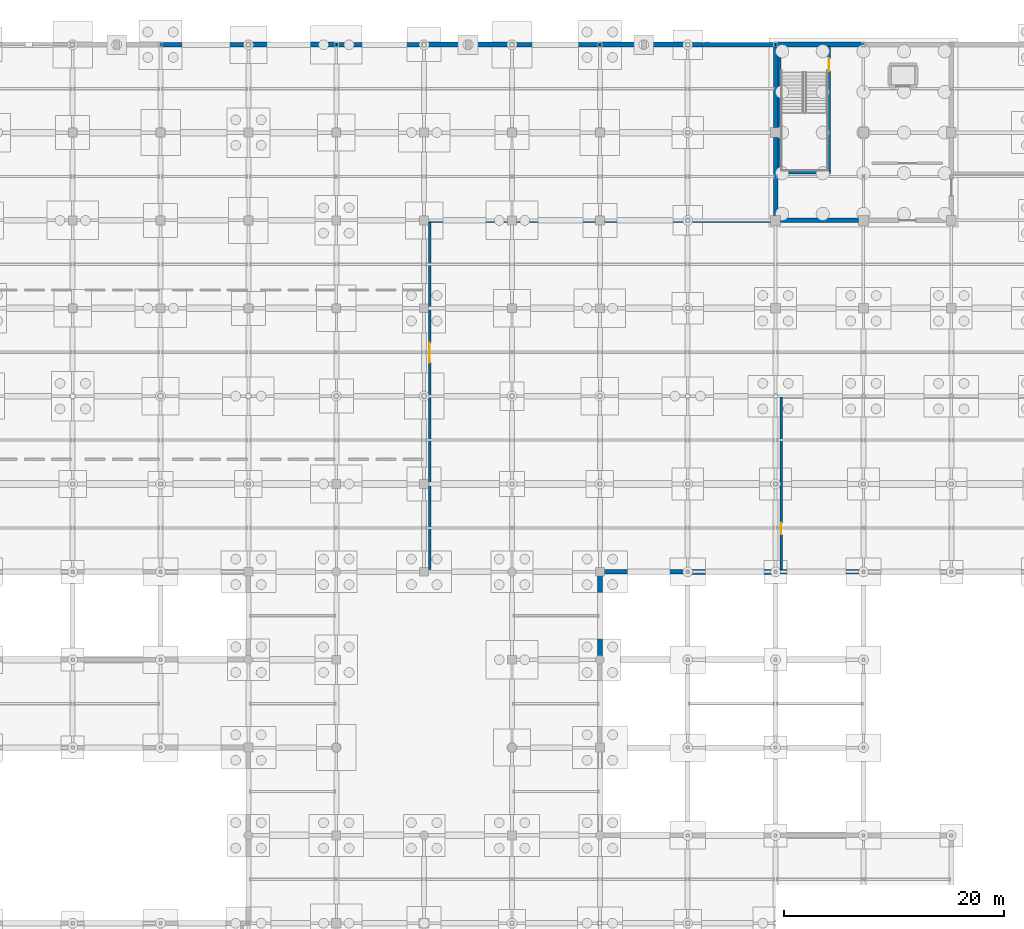
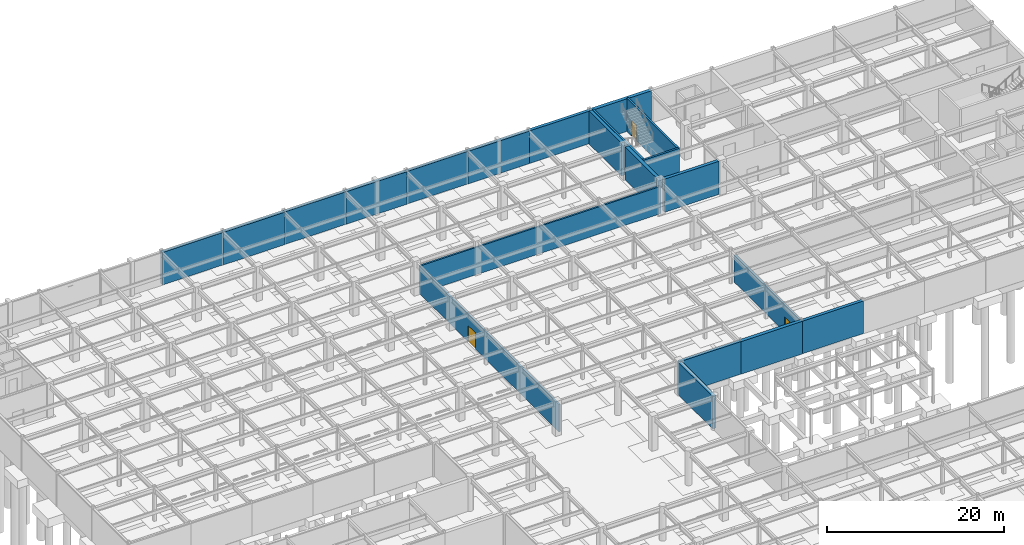
# One storey, part 59 of 105: 21 walls, 3 doors, 3 openings.
"""IFC4 building model written with IfcOpenShell, lengths in metres."""

import ifcopenshell
import ifcopenshell.guid

model = None  # the IFC model being written
_history = None  # IfcOwnerHistory: only IFC2X3 demands one
_inside = {}  # id of a spatial element -> (the spatial element, [elements in it])
_under = {}  # id of a project, library or spatial element -> (it, [spatial elements below it])
_declared = {}  # id of a project -> (the project, [libraries it declares])
_typed = {}  # id of a type object -> (the type object, [elements of that type])
_made_of = {}  # id of a material, layer set ... -> (it, [elements and type objects made of it])


def new_model(schema):
    """Start an empty IFC model of exactly this schema.

    Asked for "IFC4X3", IfcOpenShell would pick the latest addendum, in which some entities
    have other attributes; the version numbers below select the first issue.
    IFC2X3 requires an IfcOwnerHistory on every rooted entity: one is made here for all.
    """
    global model, _history
    if schema == "IFC4X3":
        model = ifcopenshell.file(schema_version=(4, 3, 0, 0))
    else:
        model = ifcopenshell.file(schema=schema)
    _inside.clear()
    _under.clear()
    _declared.clear()
    _typed.clear()
    _made_of.clear()
    _history = None
    if model.schema == "IFC2X3":
        org = make("IfcOrganization", Name="unknown")
        user = make(
            "IfcPersonAndOrganization",
            ThePerson=make("IfcPerson", FamilyName="unknown"),
            TheOrganization=org,
        )
        app = make(
            "IfcApplication",
            ApplicationDeveloper=org,
            Version="unknown",
            ApplicationFullName="unknown",
            ApplicationIdentifier="unknown",
        )
        _history = make(
            "IfcOwnerHistory",
            OwningUser=user,
            OwningApplication=app,
            ChangeAction="ADDED",
            CreationDate=0,
        )
    return model


def make(cls, **values):
    """One entity of the class cls with the attributes given. An attribute that is None is left unset."""
    return model.create_entity(
        cls, **{name: value for name, value in values.items() if value is not None}
    )


def rooted(cls, **values):
    """An entity with a GlobalId (a new one), such as an element, a storey or a relation."""
    return make(cls, GlobalId=ifcopenshell.guid.new(), OwnerHistory=_history, **values)


def si_unit(unit_type, name, prefix=None):
    """IfcSIUnit, for example si_unit("LENGTHUNIT", "METRE", prefix="MILLI")."""
    return make("IfcSIUnit", UnitType=unit_type, Prefix=prefix, Name=name)


def assignment(units):
    """IfcUnitAssignment: the units of a project."""
    return None if units is None else make("IfcUnitAssignment", Units=units)


def point(xyz):
    """IfcCartesianPoint."""
    return None if xyz is None else make("IfcCartesianPoint", Coordinates=xyz)


def direction(xyz):
    """IfcDirection."""
    return None if xyz is None else make("IfcDirection", DirectionRatios=xyz)


def frame(location, z_axis=None, x_axis=None):
    """IfcAxis2Placement3D, a coordinate frame: its origin and axes. An axis left out is left unset."""
    return make(
        "IfcAxis2Placement3D",
        Location=point(location),
        Axis=direction(z_axis),
        RefDirection=direction(x_axis),
    )


def frame_2d(location, x_axis=None):
    """IfcAxis2Placement2D, a coordinate frame in the plane: its origin and x axis."""
    return make(
        "IfcAxis2Placement2D", Location=point(location), RefDirection=direction(x_axis)
    )


def origin():
    """The frame at (0, 0, 0) with its axes left unset."""
    return frame((0.0, 0.0, 0.0))


def place(relative_to, where):
    """IfcLocalPlacement: puts the frame where relative to a parent placement (None: the world)."""
    return make(
        "IfcLocalPlacement", PlacementRelTo=relative_to, RelativePlacement=where
    )


def context(
    kind, dimensions, precision=None, world=None, true_north=None, identifier=None
):
    """IfcGeometricRepresentationContext, for example the 3D "Model" context."""
    return make(
        "IfcGeometricRepresentationContext",
        ContextIdentifier=identifier,
        ContextType=kind,
        CoordinateSpaceDimension=dimensions,
        Precision=precision,
        WorldCoordinateSystem=world,
        TrueNorth=true_north,
    )


def subcontext(parent, identifier, kind, view, scale=None):
    """IfcGeometricRepresentationSubContext, for example "Body" below "Model"."""
    return make(
        "IfcGeometricRepresentationSubContext",
        ContextIdentifier=identifier,
        ContextType=kind,
        ParentContext=parent,
        TargetScale=scale,
        TargetView=view,
    )


def project(units=None, contexts=None):
    """IfcProject with its units and contexts."""
    return rooted(
        "IfcProject",
        Name="project",
        RepresentationContexts=contexts,
        UnitsInContext=assignment(units),
    )


def spatial(cls, under=None, at=None, **own):
    """A site, building, storey or space (cls), placed at a placement, below another one or the project."""
    s = rooted(cls, ObjectPlacement=at, **own)
    if under is not None:
        _under.setdefault(under.id(), (under, []))[1].append(s)
    return s


def profile(cls, at=None, kind="AREA", **sizes):
    """A parametric profile (cls). Its sizes go by their IFC names, for example OverallWidth=200.0."""
    return make(cls, ProfileType=kind, Position=at, **sizes)


def rectangle(**sizes):
    """IfcRectangleProfileDef."""
    return profile("IfcRectangleProfileDef", **sizes)


def extrude(swept, where, along, depth):
    """IfcExtrudedAreaSolid: the profile swept, set in the frame where, extruded along a direction by depth."""
    return make(
        "IfcExtrudedAreaSolid",
        SweptArea=swept,
        Position=where,
        ExtrudedDirection=direction(along),
        Depth=depth,
    )


def shape(context_of_items, identifier, shape_type, items):
    """IfcShapeRepresentation: the items that make up one representation, for example the "Body"."""
    return make(
        "IfcShapeRepresentation",
        ContextOfItems=context_of_items,
        RepresentationIdentifier=identifier,
        RepresentationType=shape_type,
        Items=items,
    )


def material(Name=None, Category=None):
    """IfcMaterial."""
    return make("IfcMaterial", Name=Name, Category=Category)


def layer(
    of_material, thickness, ventilated=None, Name=None, Category=None, Priority=None
):
    """IfcMaterialLayer: one layer of a wall or slab, of a material (None: an air gap)."""
    return make(
        "IfcMaterialLayer",
        Material=of_material,
        LayerThickness=thickness,
        IsVentilated=ventilated,
        Name=Name,
        Category=Category,
        Priority=Priority,
    )


def layer_set(layers, Name=None):
    """IfcMaterialLayerSet."""
    return make("IfcMaterialLayerSet", MaterialLayers=layers, LayerSetName=Name)


def made_of(thing, what):
    """Note that an element or type object is made of a material, layer set ...; save() writes the relation."""
    if what is not None:
        _made_of.setdefault(what.id(), (what, []))[1].append(thing)
    return thing


def type_object(cls, material=None, **own):
    """A type object (cls), such as IfcWallType, which elements share."""
    return made_of(rooted(cls, **own), material)


def element(
    cls,
    number,
    at=None,
    inside=None,
    cuts=None,
    type_object=None,
    material=None,
    context=None,
    identifier="Body",
    shape_type=None,
    held_by="IfcProductDefinitionShape",
    body=None,
    shapes=None,
    **own,
):
    """One element of the class cls, such as IfcWall. Its Tag is "e" and its number.

    at: its placement. inside: the storey or other place that contains it. cuts: it is an
    opening in that element (IfcRelVoidsElement). A single representation is given by context,
    identifier, shape_type and body (its items); several are given by shapes. held_by: the class
    of the entity that holds the representations. save() writes the other relations.
    """
    e = rooted(cls, Tag="e%d" % number, ObjectPlacement=at, **own)
    if body is not None:
        shapes = [shape(context, identifier, shape_type, body)]
    if shapes is not None:
        e.Representation = make(held_by, Representations=shapes)
    if inside is not None:
        _inside.setdefault(inside.id(), (inside, []))[1].append(e)
    if cuts is not None:
        rooted(
            "IfcRelVoidsElement", RelatingBuildingElement=cuts, RelatedOpeningElement=e
        )
    if type_object is not None:
        _typed.setdefault(type_object.id(), (type_object, []))[1].append(e)
    return made_of(e, material)


def fill(opening, filler):
    """IfcRelFillsElement: the door or window that sits in an opening."""
    return rooted(
        "IfcRelFillsElement",
        RelatingOpeningElement=opening,
        RelatedBuildingElement=filler,
    )


def aggregate(whole, parts):
    """IfcRelAggregates: a whole, such as a stair, and the parts it consists of."""
    return rooted("IfcRelAggregates", RelatingObject=whole, RelatedObjects=parts)


def save(model, path):
    """Write the relations noted so far, then the file.

    IfcRelAggregates (storeys below a building ...), IfcRelContainedInSpatialStructure (elements
    in a storey), IfcRelDefinesByType, IfcRelAssociatesMaterial and IfcRelDeclares: one each for
    every whole, place, type object, material and project.
    """
    for whole, parts in _under.values():
        aggregate(whole, parts)
    for where, things in _inside.values():
        rooted(
            "IfcRelContainedInSpatialStructure",
            RelatedElements=things,
            RelatingStructure=where,
        )
    for kind, things in _typed.values():
        rooted("IfcRelDefinesByType", RelatedObjects=things, RelatingType=kind)
    for what, things in _made_of.values():
        rooted("IfcRelAssociatesMaterial", RelatedObjects=things, RelatingMaterial=what)
    for by, libraries in _declared.values():
        rooted("IfcRelDeclares", RelatingContext=by, RelatedDefinitions=libraries)
    model.write(path)


model = new_model("IFC4")

# Units and contexts
model_context = context("Model", 3, precision=1e-05, world=origin(), true_north=direction((0.0, 1.0)))
body_context = subcontext(model_context, "Body", "Model", "MODEL_VIEW")
ifc_project = project(units=[si_unit("LENGTHUNIT", "METRE"), si_unit("AREAUNIT", "SQUARE_METRE"), si_unit("VOLUMEUNIT", "CUBIC_METRE"), si_unit("PLANEANGLEUNIT", "RADIAN"), si_unit("MASSUNIT", "GRAM", prefix="KILO")], contexts=[model_context])

# Site, building, storey
site_placement = place(None, origin())
site = spatial("IfcSite", under=ifc_project, at=site_placement, CompositionType="ELEMENT")
building_placement = place(site_placement, origin())
building = spatial("IfcBuilding", under=site, at=building_placement, Name="Solmirada Galleria", CompositionType="ELEMENT")
storey_placement = place(building_placement, frame((0.0, 0.0, -4.800048828125)))
storey = spatial("IfcBuildingStorey", under=building, at=storey_placement, Name="B1", CompositionType="ELEMENT", Elevation=-4.800048828125)

# Walls
ifc_material_1 = material(Name="Concrete C40/50", Category="concrete")
ifc_layer_1 = layer(ifc_material_1, 0.419921875)
ifc_layer_set_1 = layer_set([ifc_layer_1], Name="Concrete C40/50")
wall_type_1 = type_object("IfcWallType", Name="WL-CORE-420", PredefinedType="SHEAR", material=ifc_layer_set_1)
for number, where, z_axis, x_axis, name in (
    (1, (128.449951171875, 104.0, 0.0), (0.0, 0.0, 1.0), (1.0, 0.0, 0.0), "Core C3 shear wall B1 S1"),
    (2, (128.0, 104.449951171875, 0.0), (0.0, 0.0, 1.0), (0.0, 1.0, 0.0), "Core C3 shear wall B1 W1"),
):
    element("IfcWall", number, at=place(storey_placement, frame(where, z_axis=z_axis, x_axis=x_axis)), inside=storey, type_object=wall_type_1, Name=name, PredefinedType="SHEAR", context=body_context, shape_type="SweptSolid", body=[
        extrude(rectangle(XDim=7.10009765625, YDim=0.419921875, at=frame_2d((3.550048828125, 0.0))), origin(), (0.0, 0.0, 1.0), 4.580078125),
    ])
wall_1_placement = place(storey_placement, frame((128.0, 112.449951171875, 0.0), z_axis=(0.0, 0.0, 1.0), x_axis=(0.0, 1.0, 0.0)))
element("IfcWall", 3, at=wall_1_placement, inside=storey, type_object=wall_type_1, Name="Core C3 shear wall B1 W2", PredefinedType="SHEAR", context=body_context, shape_type="SweptSolid", body=[
    extrude(rectangle(XDim=7.34716796875, YDim=0.419921875, at=frame_2d((3.673583984375, 0.0))), origin(), (0.0, 0.0, 1.0), 4.580078125),
])

# Wall, opening, door
ifc_material_2 = material(Name="Fire-rated gypsum and steel-stud partition", Category="steel")
ifc_layer_2 = layer(ifc_material_2, 0.219970703125)
ifc_layer_set_2 = layer_set([ifc_layer_2], Name="Fire-rated gypsum and steel-stud partition")
wall_type_2 = type_object("IfcWallType", Name="WL-PART-220", PredefinedType="PARTITIONING", material=ifc_layer_set_2)
wall_2_placement = place(storey_placement, frame((96.5, 72.199951171875, 0.0), z_axis=(0.0, 0.0, 1.0), x_axis=(0.0, 1.0, 0.0)))
wall_2 = element("IfcWall", 4, at=wall_2_placement, inside=storey, type_object=wall_type_2, Name="Partition B1-002 (Bulk Stockroom)", PredefinedType="PARTITIONING", context=body_context, shape_type="SweptSolid", body=[
    extrude(rectangle(XDim=31.699951171875, YDim=0.219970703125, at=frame_2d((15.85009765625, 0.0))), origin(), (0.0, 0.0, 1.0), 3.780029296875),
])
opening_1_placement = place(wall_2_placement, frame((18.843017578125, 0.0, 0.0)))
opening_1 = element("IfcOpeningElement", 5, at=opening_1_placement, cuts=wall_2, Name="Opening ID-259", PredefinedType="OPENING", context=body_context, shape_type="SweptSolid", body=[
    extrude(rectangle(XDim=1.800048828125, YDim=2.25, at=frame_2d((0.89990234375, 1.125))), frame((0.0, 0.119873046875, 0.0), z_axis=(0.0, -1.0, 0.0), x_axis=(1.0, 0.0, 0.0)), (0.0, 0.0, 1.0), 0.239990234375),
])
ifc_material_3 = material(Name="Fire-rated painted steel door assembly", Category="steel")
door_type_1 = type_object("IfcDoorType", Name="DR-STOCK-180X225", OperationType="DOUBLE_DOOR_SINGLE_SWING", PredefinedType="DOOR", material=ifc_material_3)
door_1_placement = place(opening_1_placement, origin())
door_1 = element("IfcDoor", 6, at=door_1_placement, inside=storey, type_object=door_type_1, Name="Bulk Stockroom door ID-259", OperationType="DOUBLE_DOOR_SINGLE_SWING", OverallHeight=2.25, OverallWidth=1.800048828125, PredefinedType="DOOR", context=body_context, shape_type="SweptSolid", body=[
    extrude(rectangle(XDim=1.800048828125, YDim=2.25, at=frame_2d((0.89990234375, 1.125))), frame((0.0, 0.02490234375, 0.0), z_axis=(0.0, -1.0, 0.0), x_axis=(1.0, 0.0, 0.0)), (0.0, 0.0, 1.0), 0.050048828125),
])
fill(opening_1, door_1)

# Wall
wall_3_placement = place(storey_placement, frame((96.5, 103.89990234375, 0.0), z_axis=(0.0, 0.0, 1.0), x_axis=(1.0, 0.0, 0.0)))
element("IfcWall", 7, at=wall_3_placement, inside=storey, type_object=wall_type_2, Name="Partition B1-003 (Bulk Stockroom North)", PredefinedType="PARTITIONING", context=body_context, shape_type="SweptSolid", body=[
    extrude(rectangle(XDim=31.5, YDim=0.219970703125, at=frame_2d((15.75, 0.0))), origin(), (0.0, 0.0, 1.0), 3.780029296875),
])

# Wall, opening, door
wall_4_placement = place(storey_placement, frame((128.5, 72.199951171875, 0.0), z_axis=(0.0, 0.0, 1.0), x_axis=(0.0, 1.0, 0.0)))
wall_4 = element("IfcWall", 8, at=wall_4_placement, inside=storey, type_object=wall_type_2, Name="Partition B1-004 (Chiller Plant)", PredefinedType="PARTITIONING", context=body_context, shape_type="SweptSolid", body=[
    extrude(rectangle(XDim=15.699951171875, YDim=0.219970703125, at=frame_2d((7.85009765625, 0.0))), origin(), (0.0, 0.0, 1.0), 3.780029296875),
])
opening_2_placement = place(wall_4_placement, frame((3.202880859375, 0.0, 0.0)))
opening_2 = element("IfcOpeningElement", 9, at=opening_2_placement, cuts=wall_4, Name="Opening ID-260", PredefinedType="OPENING", context=body_context, shape_type="SweptSolid", body=[
    extrude(rectangle(XDim=1.050048828125, YDim=2.14990234375, at=frame_2d((0.52490234375, 1.074951171875))), frame((0.0, 0.119873046875, 0.0), z_axis=(0.0, -1.0, 0.0), x_axis=(1.0, 0.0, 0.0)), (0.0, 0.0, 1.0), 0.239990234375),
])
door_type_2 = type_object("IfcDoorType", Name="DR-FIRE-105X215", OperationType="NOTDEFINED", PredefinedType="DOOR", material=ifc_material_3)
door_2_placement = place(opening_2_placement, origin())
door_2 = element("IfcDoor", 10, at=door_2_placement, inside=storey, type_object=door_type_2, Name="Chiller Plant door ID-260", OperationType="SINGLE_SWING_RIGHT", OverallHeight=2.14990234375, OverallWidth=1.050048828125, PredefinedType="DOOR", context=body_context, shape_type="SweptSolid", body=[
    extrude(rectangle(XDim=1.050048828125, YDim=2.14990234375, at=frame_2d((0.52490234375, 1.074951171875))), frame((0.0, 0.02490234375, 0.0), z_axis=(0.0, -1.0, 0.0), x_axis=(1.0, 0.0, 0.0)), (0.0, 0.0, 1.0), 0.050048828125),
])
fill(opening_2, door_2)

# Walls
ifc_material_4 = material(Name="Concrete C35/45", Category="concrete")
ifc_layer_3 = layer(ifc_material_4, 0.39990234375)
ifc_layer_set_3 = layer_set([ifc_layer_3], Name="Concrete C35/45")
wall_type_3 = type_object("IfcWallType", Name="WL-RET-400", PredefinedType="USERDEFINED", material=ifc_layer_set_3)
for number, where, z_axis, x_axis, name in (
    (11, (72.0, 120.0, 0.0), (0.0, 0.0, 1.0), (1.0, 0.0, 0.0), "Basement retaining wall 065"),
    (12, (88.0, 120.0, 0.0), (0.0, 0.0, 1.0), (1.0, 0.0, 0.0), "Basement retaining wall 067"),
    (13, (104.0, 120.0, 0.0), (0.0, 0.0, 1.0), (1.0, 0.0, 0.0), "Basement retaining wall 069"),
    (14, (120.0, 120.0, 0.0), (0.0, 0.0, 1.0), (1.0, 0.0, 0.0), "Basement retaining wall 071"),
    (15, (136.0, 72.0, 0.0), (0.0, 0.0, 1.0), (-1.0, 0.0, 0.0), "Basement retaining wall 089"),
    (16, (120.0, 72.0, 0.0), (0.0, 0.0, 1.0), (-1.0, 0.0, 0.0), "Basement retaining wall 091"),
):
    element("IfcWall", number, at=place(storey_placement, frame(where, z_axis=z_axis, x_axis=x_axis)), inside=storey, type_object=wall_type_3, Name=name, ObjectType="RETAININGWALL", PredefinedType="USERDEFINED", context=body_context, shape_type="SweptSolid", body=[
        extrude(rectangle(XDim=8.0, YDim=0.39990234375, at=frame_2d((4.0, 0.0))), origin(), (0.0, 0.0, 1.0), 4.5),
    ])
ifc_layer_4 = layer(ifc_material_4, 0.449951171875)
ifc_layer_set_4 = layer_set([ifc_layer_4], Name="Concrete C35/45")
wall_type_4 = type_object("IfcWallType", Name="WL-RET-450", PredefinedType="USERDEFINED", material=ifc_layer_set_4)
for number, where, z_axis, x_axis, name in (
    (17, (80.0, 120.0, 0.0), (0.0, 0.0, 1.0), (1.0, 0.0, 0.0), "Basement retaining wall 066"),
    (18, (96.0, 120.0, 0.0), (0.0, 0.0, 1.0), (1.0, 0.0, 0.0), "Basement retaining wall 068"),
    (19, (112.0, 120.0, 0.0), (0.0, 0.0, 1.0), (1.0, 0.0, 0.0), "Basement retaining wall 070"),
    (20, (128.0, 120.0, 0.0), (0.0, 0.0, 1.0), (1.0, 0.0, 0.0), "Basement retaining wall 072"),
    (21, (128.0, 72.0, 0.0), (0.0, 0.0, 1.0), (-1.0, 0.0, 0.0), "Basement retaining wall 090"),
    (22, (112.0, 72.0, 0.0), (0.0, 0.0, 1.0), (0.0, -1.0, 0.0), "Basement retaining wall 092"),
):
    element("IfcWall", number, at=place(storey_placement, frame(where, z_axis=z_axis, x_axis=x_axis)), inside=storey, type_object=wall_type_4, Name=name, ObjectType="RETAININGWALL", PredefinedType="USERDEFINED", context=body_context, shape_type="SweptSolid", body=[
        extrude(rectangle(XDim=8.0, YDim=0.449951171875, at=frame_2d((4.0, 0.0))), origin(), (0.0, 0.0, 1.0), 4.5),
    ])
ifc_layer_5 = layer(ifc_material_1, 0.260009765625)
ifc_layer_set_5 = layer_set([ifc_layer_5], Name="Concrete C40/50")
wall_type_5 = type_object("IfcWallType", Name="WL-SHAFT-260", PredefinedType="SHEAR", material=ifc_layer_set_5)
wall_5_placement = place(storey_placement, frame((128.239990234375, 108.3701171875, 0.0), z_axis=(0.0, 0.0, 1.0), x_axis=(1.0, 0.0, 0.0)))
element("IfcWall", 23, at=wall_5_placement, inside=storey, type_object=wall_type_5, Name="Stair ST3 enclosure wall B1 S", PredefinedType="SHEAR", context=body_context, shape_type="SweptSolid", body=[
    extrude(rectangle(XDim=4.77001953125, YDim=0.260009765625, at=frame_2d((2.385009765625, 0.0))), origin(), (0.0, 0.0, 1.0), 4.580078125),
])
wall_6_placement = place(storey_placement, frame((128.3701171875, 108.5, 0.0), z_axis=(0.0, 0.0, 1.0), x_axis=(0.0, 1.0, 0.0)))
element("IfcWall", 24, at=wall_6_placement, inside=storey, type_object=wall_type_5, Name="Stair ST3 enclosure wall B1 W", PredefinedType="SHEAR", context=body_context, shape_type="SweptSolid", body=[
    extrude(rectangle(XDim=11.35498046875, YDim=0.260009765625, at=frame_2d((5.677490234375, 0.0))), origin(), (0.0, 0.0, 1.0), 4.580078125),
])

# Wall, opening, door
wall_7_placement = place(storey_placement, frame((132.8798828125, 108.5, 0.0), z_axis=(0.0, 0.0, 1.0), x_axis=(0.0, 1.0, 0.0)))
wall_7 = element("IfcWall", 25, at=wall_7_placement, inside=storey, type_object=wall_type_5, Name="Stair ST3 enclosure wall B1 E", PredefinedType="SHEAR", context=body_context, shape_type="SweptSolid", body=[
    extrude(rectangle(XDim=11.35498046875, YDim=0.260009765625, at=frame_2d((5.677490234375, 0.0))), origin(), (0.0, 0.0, 1.0), 4.580078125),
])
opening_3_placement = place(wall_7_placement, frame((9.10009765625, 0.0, 0.0)))
opening_3 = element("IfcOpeningElement", 26, at=opening_3_placement, cuts=wall_7, Name="Opening SD-169", PredefinedType="OPENING", context=body_context, shape_type="SweptSolid", body=[
    extrude(rectangle(XDim=1.14990234375, YDim=2.14990234375, at=frame_2d((0.574951171875, 1.074951171875))), frame((0.0, 0.139892578125, 0.0), z_axis=(0.0, -1.0, 0.0), x_axis=(1.0, 0.0, 0.0)), (0.0, 0.0, 1.0), 0.280029296875),
])
door_type_3 = type_object("IfcDoorType", Name="DR-STAIR-115X215", OperationType="NOTDEFINED", PredefinedType="DOOR", material=ifc_material_3)
door_3_placement = place(opening_3_placement, origin())
door_3 = element("IfcDoor", 27, at=door_3_placement, inside=storey, type_object=door_type_3, Name="Exit stair ST3 enclosure fire door SD-169", OperationType="SINGLE_SWING_LEFT", OverallHeight=2.14990234375, OverallWidth=1.14990234375, PredefinedType="DOOR", context=body_context, shape_type="SweptSolid", body=[
    extrude(rectangle(XDim=1.14990234375, YDim=2.14990234375, at=frame_2d((0.574951171875, 1.074951171875))), frame((0.0, 0.02490234375, 0.0), z_axis=(0.0, -1.0, 0.0), x_axis=(1.0, 0.0, 0.0)), (0.0, 0.0, 1.0), 0.050048828125),
])
fill(opening_3, door_3)

save(model, "model.ifc")
